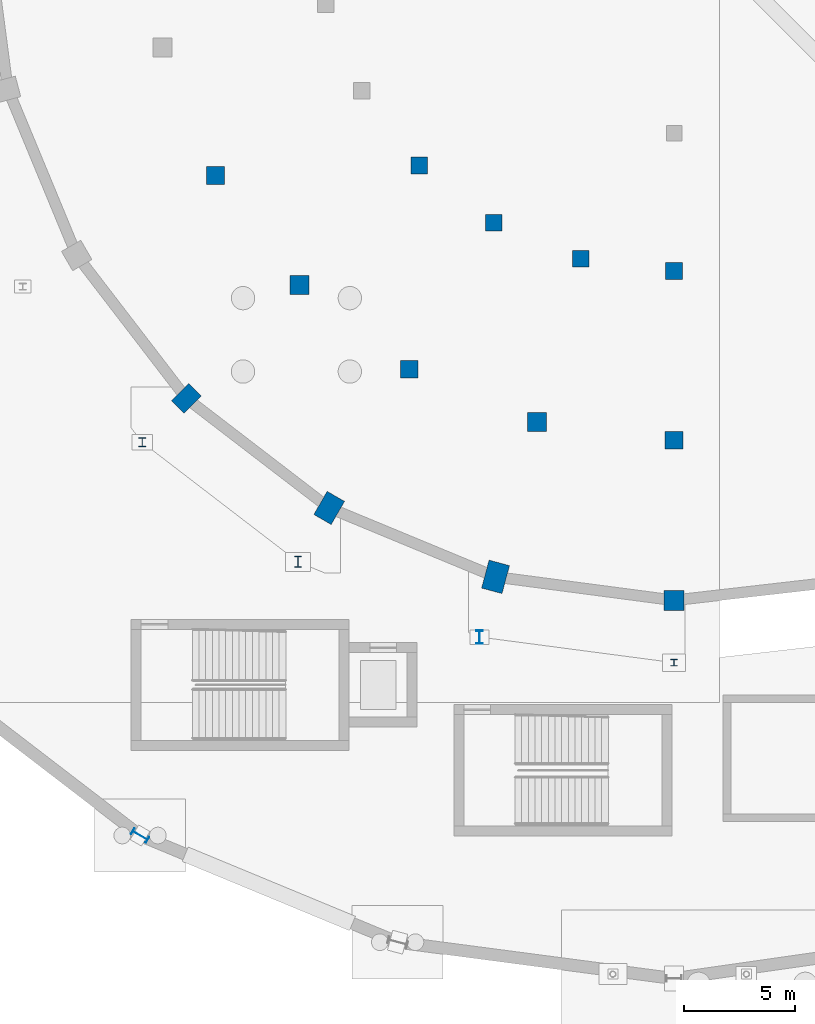
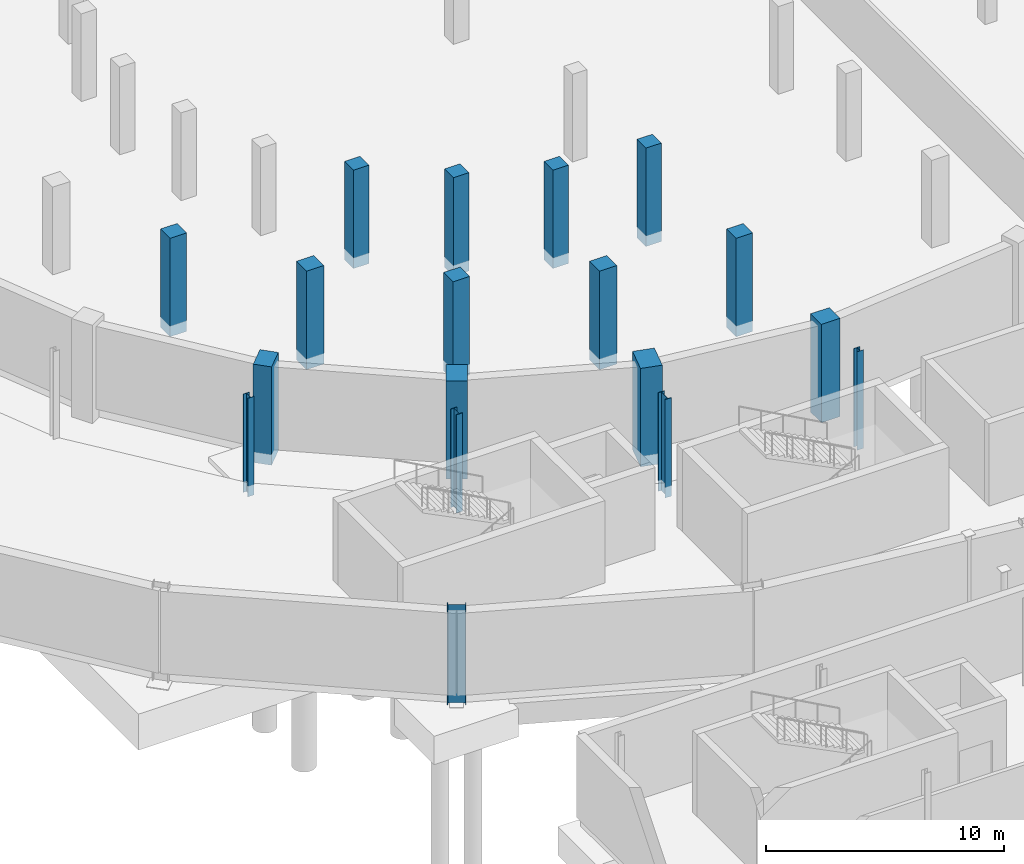
# One storey, part 14 of 55: 18 columns.
"""IFC4 building model written with IfcOpenShell, lengths in metres."""

from ifc_helpers import new_model, si_unit, direction, frame, origin, origin_2d, place, context, subcontext, project, spatial, rectangle, i_section, extrude, material, material_profile, profile_set, type_object, element, save


model = new_model("IFC4")

# Units and contexts
model_context = context("Model", 3, precision=1e-05, world=origin(), true_north=direction((0.0, 1.0)))
body_context = subcontext(model_context, "Body", "Model", "MODEL_VIEW")
ifc_project = project(units=[si_unit("LENGTHUNIT", "METRE"), si_unit("AREAUNIT", "SQUARE_METRE"), si_unit("VOLUMEUNIT", "CUBIC_METRE"), si_unit("PLANEANGLEUNIT", "RADIAN"), si_unit("MASSUNIT", "GRAM", prefix="KILO")], contexts=[model_context])

# Site, building, storey
site_placement = place(None, origin())
site = spatial("IfcSite", under=ifc_project, at=site_placement, CompositionType="ELEMENT")
building_placement = place(site_placement, origin())
building = spatial("IfcBuilding", under=site, at=building_placement, Name="Sohan Crest Arena", CompositionType="ELEMENT")
storey_placement = place(building_placement, frame((0.0, 0.0, -4.5)))
storey = spatial("IfcBuildingStorey", under=building, at=storey_placement, Name="B1", CompositionType="ELEMENT", Elevation=-4.5)

# Columns
ifc_material_1 = material(Name="Concrete C40/50", Category="concrete")
ifc_material_profile_1 = material_profile(ifc_material_1, rectangle(XDim=0.75, YDim=0.75, at=origin_2d()), Name="RC 750x750")
ifc_profile_set_1 = profile_set([ifc_material_profile_1], Name="Concrete C40/50")
column_type_1 = type_object("IfcColumnType", Name="STR-COL-C04", PredefinedType="COLUMN", material=ifc_profile_set_1)
for number, where, z_axis, x_axis, name in (
    (1, (86.544921875, 66.544921875, -0.550048828125), (0.0, 0.0, 1.0), (1.0, 0.0, 0.0), "Structural column COL-V1I-10-B1"),
    (2, (89.89990234375, 63.969970703125, -0.550048828125), (0.0, 0.0, 1.0), (1.0, 0.0, 0.0), "Structural column COL-V1I-11-B1"),
    (3, (93.806884765625, 62.35205078125, -0.550048828125), (0.0, 0.0, 1.0), (1.0, 0.0, 0.0), "Structural column COL-V1I-12-B1"),
    (4, (98.0, 61.800048828125, -0.550048828125), (0.0, 0.0, 1.0), (1.0, 0.0, 0.0), "Structural column COL-V1I-13-B1"),
):
    element("IfcColumn", number, at=place(storey_placement, frame(where, z_axis=z_axis, x_axis=x_axis)), inside=storey, type_object=column_type_1, Name=name, PredefinedType="COLUMN", context=body_context, shape_type="SweptSolid", body=[
        extrude(rectangle(XDim=0.75, YDim=0.75, at=origin_2d()), origin(), (0.0, 0.0, 1.0), 5.050048828125),
    ])
ifc_material_profile_2 = material_profile(ifc_material_1, rectangle(XDim=0.800048828125, YDim=0.800048828125, at=origin_2d()), Name="RC 800x800")
ifc_profile_set_2 = profile_set([ifc_material_profile_2], Name="Concrete C40/50")
column_type_2 = type_object("IfcColumnType", Name="STR-COL-C05", PredefinedType="COLUMN", material=ifc_profile_set_2)
for number, where, z_axis, x_axis, name in (
    (5, (77.388916015625, 66.10009765625, -0.550048828125), (0.0, 0.0, 1.0), (1.0, 0.0, 0.0), "Structural column COL-V1M-09-B1"),
    (6, (86.10009765625, 57.388916015625, -0.550048828125), (0.0, 0.0, 1.0), (1.0, 0.0, 0.0), "Structural column COL-V1M-11-B1"),
    (7, (98.0, 54.199951171875, -0.550048828125), (0.0, 0.0, 1.0), (1.0, 0.0, 0.0), "Structural column COL-V1M-13-B1"),
):
    element("IfcColumn", number, at=place(storey_placement, frame(where, z_axis=z_axis, x_axis=x_axis)), inside=storey, type_object=column_type_2, Name=name, PredefinedType="COLUMN", context=body_context, shape_type="SweptSolid", body=[
        extrude(rectangle(XDim=0.800048828125, YDim=0.800048828125, at=origin_2d()), origin(), (0.0, 0.0, 1.0), 5.050048828125),
    ])
ifc_material_profile_3 = material_profile(ifc_material_1, rectangle(XDim=0.85009765625, YDim=0.85009765625, at=origin_2d()), Name="RC 850x850")
ifc_profile_set_3 = profile_set([ifc_material_profile_3], Name="Concrete C40/50")
column_type_3 = type_object("IfcColumnType", Name="STR-COL-C06", PredefinedType="COLUMN", material=ifc_profile_set_3)
for number, where, z_axis, x_axis, name in (
    (8, (81.1708984375, 61.1708984375, -0.550048828125), (0.0, 0.0, 1.0), (1.0, 0.0, 0.0), "Structural column COL-V1M-10-B1"),
    (9, (91.840087890625, 55.010986328125, -0.550048828125), (0.0, 0.0, 1.0), (1.0, 0.0, 0.0), "Structural column COL-V1M-12-B1"),
):
    element("IfcColumn", number, at=place(storey_placement, frame(where, z_axis=z_axis, x_axis=x_axis)), inside=storey, type_object=column_type_3, Name=name, PredefinedType="COLUMN", context=body_context, shape_type="SweptSolid", body=[
        extrude(rectangle(XDim=0.85009765625, YDim=0.85009765625, at=origin_2d()), origin(), (0.0, 0.0, 1.0), 5.050048828125),
    ])
ifc_material_profile_4 = material_profile(ifc_material_1, rectangle(XDim=0.89990234375, YDim=0.89990234375, at=origin_2d()), Name="RC 900x900")
ifc_profile_set_4 = profile_set([ifc_material_profile_4], Name="Concrete C40/50")
column_type_4 = type_object("IfcColumnType", Name="STR-COL-C07", PredefinedType="COLUMN", material=ifc_profile_set_4)
column_1_placement = place(storey_placement, frame((98.0, 47.0, -0.550048828125), z_axis=(0.0, 0.0, 1.0), x_axis=(0.0, 1.0, 0.0)))
element("IfcColumn", 10, at=column_1_placement, inside=storey, type_object=column_type_4, Name="Structural column COL-V1R-13-B1", PredefinedType="COLUMN", context=body_context, shape_type="SweptSolid", body=[
    extrude(rectangle(XDim=0.89990234375, YDim=0.89990234375, at=origin_2d()), origin(), (0.0, 0.0, 1.0), 5.050048828125),
])
ifc_material_profile_5 = material_profile(ifc_material_1, rectangle(XDim=1.10009765625, YDim=0.800048828125, at=origin_2d()), Name="RC 1100x800")
ifc_profile_set_5 = profile_set([ifc_material_profile_5], Name="Concrete C40/50")
column_type_5 = type_object("IfcColumnType", Name="STR-COL-C10", PredefinedType="COLUMN", material=ifc_profile_set_5)
column_2_placement = place(storey_placement, frame((76.080078125, 56.080078125, -0.550048828125), z_axis=(0.0, 0.0, 1.0), x_axis=(0.707106781187, 0.707106781187, 0.0)))
element("IfcColumn", 11, at=column_2_placement, inside=storey, type_object=column_type_5, Name="Structural column COL-V1R-10-B1", PredefinedType="COLUMN", context=body_context, shape_type="SweptSolid", body=[
    extrude(rectangle(XDim=1.10009765625, YDim=0.800048828125, at=origin_2d()), origin(), (0.0, 0.0, 1.0), 5.050048828125),
])
ifc_material_profile_6 = material_profile(ifc_material_1, rectangle(XDim=1.199951171875, YDim=0.89990234375, at=origin_2d()), Name="RC 1200x900")
ifc_profile_set_6 = profile_set([ifc_material_profile_6], Name="Concrete C40/50")
column_type_6 = type_object("IfcColumnType", Name="STR-COL-C11", PredefinedType="COLUMN", material=ifc_profile_set_6)
column_3_placement = place(storey_placement, frame((82.5, 51.153076171875, -0.550048828125), z_axis=(0.0, 0.0, 1.0), x_axis=(0.5, 0.866025403784, 0.0)))
element("IfcColumn", 12, at=column_3_placement, inside=storey, type_object=column_type_6, Name="Structural column COL-V1R-11-B1", PredefinedType="COLUMN", context=body_context, shape_type="SweptSolid", body=[
    extrude(rectangle(XDim=1.199951171875, YDim=0.89990234375, at=origin_2d()), origin(), (0.0, 0.0, 1.0), 5.050048828125),
])
ifc_material_profile_7 = material_profile(ifc_material_1, rectangle(XDim=1.300048828125, YDim=0.949951171875, at=origin_2d()), Name="RC 1300x950")
ifc_profile_set_7 = profile_set([ifc_material_profile_7], Name="Concrete C40/50")
column_type_7 = type_object("IfcColumnType", Name="STR-COL-C12", PredefinedType="COLUMN", material=ifc_profile_set_7)
column_4_placement = place(storey_placement, frame((89.97705078125, 48.055908203125, -0.550048828125), z_axis=(0.0, 0.0, 1.0), x_axis=(0.258819045103, 0.965925826289, 0.0)))
element("IfcColumn", 13, at=column_4_placement, inside=storey, type_object=column_type_7, Name="Structural column COL-V1R-12-B1", PredefinedType="COLUMN", context=body_context, shape_type="SweptSolid", body=[
    extrude(rectangle(XDim=1.300048828125, YDim=0.949951171875, at=origin_2d()), origin(), (0.0, 0.0, 1.0), 5.050048828125),
])
ifc_material_2 = material(Name="Steel S355", Category="steel")
ifc_material_profile_8 = material_profile(ifc_material_2, i_section(OverallWidth=0.300048828125, OverallDepth=0.300048828125, WebThickness=0.010986328125, FlangeThickness=0.01904296875, at=origin_2d()), Name="HEB 300")
ifc_profile_set_8 = profile_set([ifc_material_profile_8], Name="Steel S355")
column_type_8 = type_object("IfcColumnType", Name="STR-COL-C17", PredefinedType="COLUMN", material=ifc_profile_set_8)
column_5_placement = place(storey_placement, frame((98.0, 44.199951171875, -0.550048828125), z_axis=(0.0, 0.0, 1.0), x_axis=(1.0, 0.0, 0.0)))
element("IfcColumn", 14, at=column_5_placement, inside=storey, type_object=column_type_8, Name="Structural column COL-V2I-13-B1", PredefinedType="COLUMN", context=body_context, shape_type="SweptSolid", body=[
    extrude(i_section(OverallWidth=0.300048828125, OverallDepth=0.300048828125, WebThickness=0.010986328125, FlangeThickness=0.01904296875, at=origin_2d()), origin(), (0.0, 0.0, 1.0), 5.050048828125),
])
ifc_material_profile_9 = material_profile(ifc_material_2, i_section(OverallWidth=0.300048828125, OverallDepth=0.39990234375, WebThickness=0.013427734375, FlangeThickness=0.02392578125, at=origin_2d()), Name="HEB 400")
ifc_profile_set_9 = profile_set([ifc_material_profile_9], Name="Steel S355")
column_type_9 = type_object("IfcColumnType", Name="STR-COL-C18", PredefinedType="COLUMN", material=ifc_profile_set_9)
column_6_placement = place(storey_placement, frame((74.10009765625, 54.10009765625, -0.550048828125), z_axis=(0.0, 0.0, 1.0), x_axis=(1.0, 0.0, 0.0)))
element("IfcColumn", 15, at=column_6_placement, inside=storey, type_object=column_type_9, Name="Structural column COL-V2I-10-B1", PredefinedType="COLUMN", context=body_context, shape_type="SweptSolid", body=[
    extrude(i_section(OverallWidth=0.300048828125, OverallDepth=0.39990234375, WebThickness=0.013427734375, FlangeThickness=0.02392578125, at=origin_2d()), origin(), (0.0, 0.0, 1.0), 5.050048828125),
])
ifc_material_profile_10 = material_profile(ifc_material_2, i_section(OverallWidth=0.300048828125, OverallDepth=0.5, WebThickness=0.014404296875, FlangeThickness=0.028076171875, at=origin_2d()), Name="HEB 500")
ifc_profile_set_10 = profile_set([ifc_material_profile_10], Name="Steel S355")
column_type_10 = type_object("IfcColumnType", Name="STR-COL-C19", PredefinedType="COLUMN", material=ifc_profile_set_10)
column_7_placement = place(storey_placement, frame((81.10009765625, 48.72802734375, -0.550048828125), z_axis=(0.0, 0.0, 1.0), x_axis=(1.0, 0.0, 0.0)))
element("IfcColumn", 16, at=column_7_placement, inside=storey, type_object=column_type_10, Name="Structural column COL-V2I-11-B1", PredefinedType="COLUMN", context=body_context, shape_type="SweptSolid", body=[
    extrude(i_section(OverallWidth=0.300048828125, OverallDepth=0.5, WebThickness=0.014404296875, FlangeThickness=0.028076171875, at=origin_2d()), origin(), (0.0, 0.0, 1.0), 5.050048828125),
])
ifc_material_profile_11 = material_profile(ifc_material_2, i_section(OverallWidth=0.300048828125, OverallDepth=0.60009765625, WebThickness=0.015380859375, FlangeThickness=0.030029296875, at=origin_2d()), Name="HEB 600")
ifc_profile_set_11 = profile_set([ifc_material_profile_11], Name="Steel S355")
column_type_11 = type_object("IfcColumnType", Name="STR-COL-C20", PredefinedType="COLUMN", material=ifc_profile_set_11)
column_8_placement = place(storey_placement, frame((89.251953125, 45.35205078125, -0.550048828125), z_axis=(0.0, 0.0, 1.0), x_axis=(1.0, 0.0, 0.0)))
element("IfcColumn", 17, at=column_8_placement, inside=storey, type_object=column_type_11, Name="Structural column COL-V2I-12-B1", PredefinedType="COLUMN", context=body_context, shape_type="SweptSolid", body=[
    extrude(i_section(OverallWidth=0.300048828125, OverallDepth=0.60009765625, WebThickness=0.015380859375, FlangeThickness=0.030029296875, at=origin_2d()), origin(), (0.0, 0.0, 1.0), 5.050048828125),
])
ifc_material_profile_12 = material_profile(ifc_material_2, i_section(OverallWidth=0.300048828125, OverallDepth=0.800048828125, WebThickness=0.017578125, FlangeThickness=0.032958984375, at=origin_2d()), Name="HEB 800")
ifc_profile_set_12 = profile_set([ifc_material_profile_12], Name="Steel S355")
column_type_12 = type_object("IfcColumnType", Name="STR-COL-C22", PredefinedType="COLUMN", material=ifc_profile_set_12)
column_9_placement = place(storey_placement, frame((74.0, 36.430908203125, -0.550048828125), z_axis=(0.0, 0.0, 1.0), x_axis=(0.5, 0.866025403784, 0.0)))
element("IfcColumn", 18, at=column_9_placement, inside=storey, type_object=column_type_12, Name="Structural column COL-V2O-11-B1", PredefinedType="COLUMN", context=body_context, shape_type="SweptSolid", body=[
    extrude(i_section(OverallWidth=0.300048828125, OverallDepth=0.800048828125, WebThickness=0.017578125, FlangeThickness=0.032958984375, at=origin_2d()), origin(), (0.0, 0.0, 1.0), 5.050048828125),
])

save(model, "model.ifc")
